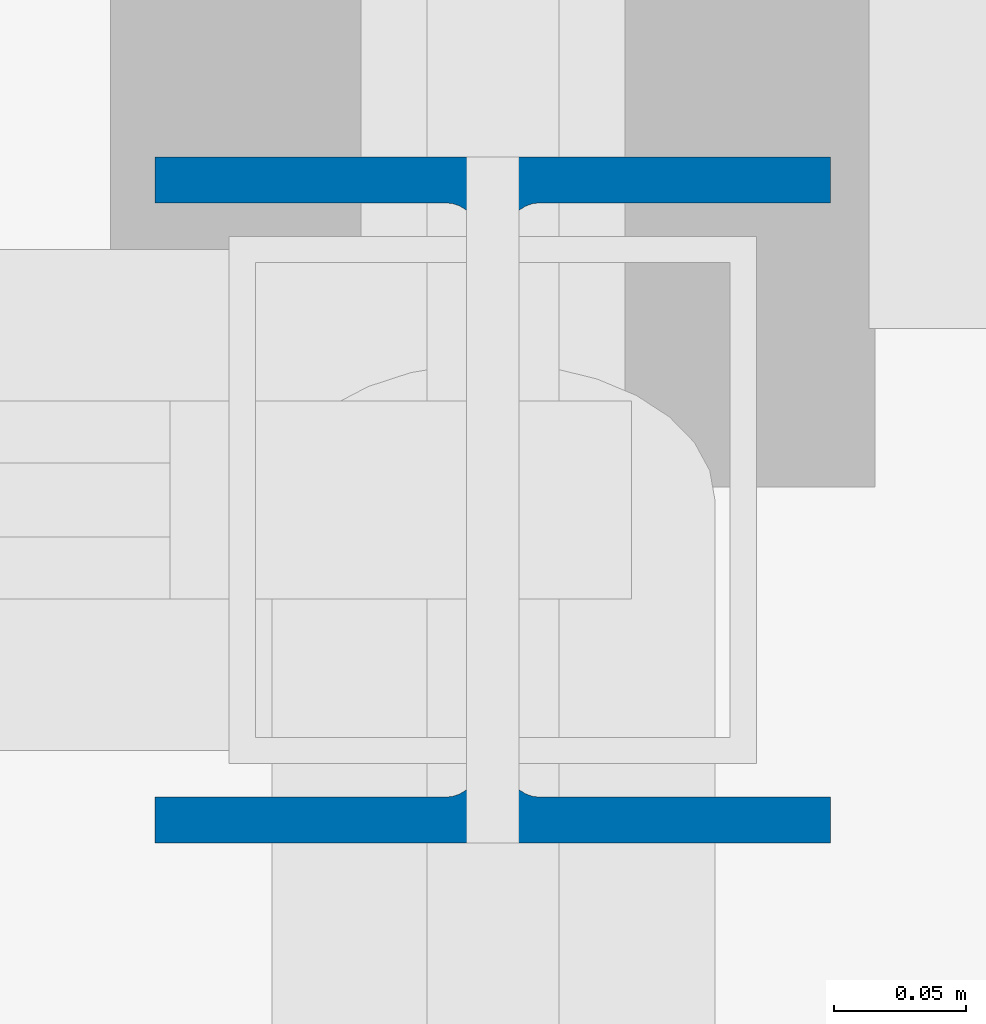
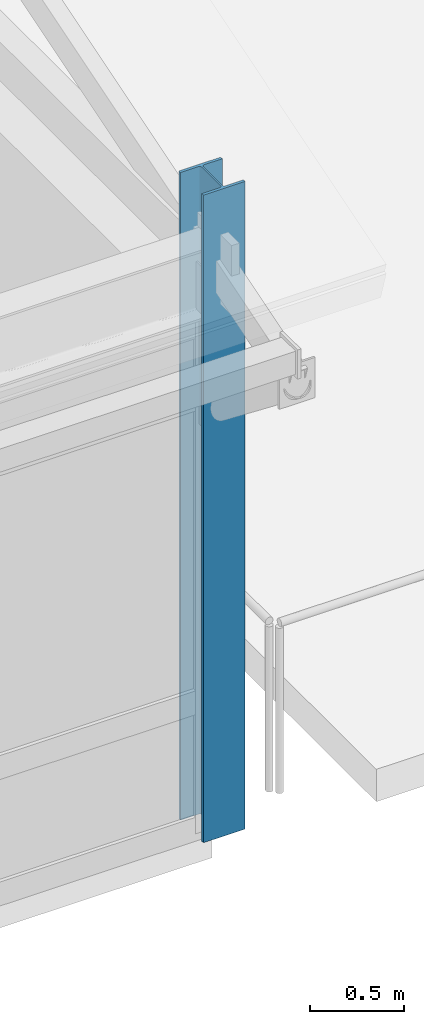
# One storey, part 6 of 144: 1 column.
"""IFC4 building model written with IfcOpenShell, lengths in metres."""

from ifc_helpers import new_model, si_unit, direction, frame, origin, origin_2d, place, context, subcontext, project, spatial, i_section, extrude, material, material_profile, profile_set, type_object, element, save


model = new_model("IFC4")

# Units and contexts
model_context = context("Model", 3, precision=1e-05, world=origin(), true_north=direction((0.0, 1.0)))
body_context = subcontext(model_context, "Body", "Model", "MODEL_VIEW")
ifc_project = project(units=[si_unit("LENGTHUNIT", "METRE"), si_unit("AREAUNIT", "SQUARE_METRE"), si_unit("VOLUMEUNIT", "CUBIC_METRE"), si_unit("PLANEANGLEUNIT", "RADIAN"), si_unit("MASSUNIT", "GRAM", prefix="KILO")], contexts=[model_context])

# Site, building, storey
site_placement = place(None, origin())
site = spatial("IfcSite", under=ifc_project, at=site_placement, CompositionType="ELEMENT")
building_placement = place(site_placement, origin())
building = spatial("IfcBuilding", under=site, at=building_placement, Name="Trelmorton Wharf Fire Station", CompositionType="ELEMENT")
storey_placement = place(building_placement, frame((0.0, 0.0, 5.39990234375)))
storey = spatial("IfcBuildingStorey", under=building, at=storey_placement, Name="L01", CompositionType="ELEMENT", Elevation=5.39990234375)

# Column
ifc_material = material(Name="Steel Grade 350", Category="steel")
ifc_material_profile = material_profile(ifc_material, i_section(OverallWidth=0.256103515625, OverallDepth=0.260009765625, WebThickness=0.010498046875, FlangeThickness=0.017333984375, FilletRadius=0.0126953125, at=origin_2d()), Name="250UC89.5")
ifc_profile_set = profile_set([ifc_material_profile], Name="Steel Grade 350")
column_type = type_object("IfcColumnType", Name="COL_250UC89", PredefinedType="COLUMN", material=ifc_profile_set)
column_placement = place(storey_placement, frame((40.0, 60.300048828125, 0.0), z_axis=(0.0, 0.0, 1.0), x_axis=(1.0, 0.0, 0.0)))
element("IfcColumn", 1, at=column_placement, inside=storey, type_object=column_type, Name="COL-L01-0310", PredefinedType="COLUMN", context=body_context, shape_type="SweptSolid", body=[
    extrude(i_section(OverallWidth=0.256103515625, OverallDepth=0.260009765625, WebThickness=0.010498046875, FlangeThickness=0.017333984375, FilletRadius=0.0126953125, at=origin_2d()), origin(), (0.0, 0.0, 1.0), 4.2001953125),
])

save(model, "model.ifc")
